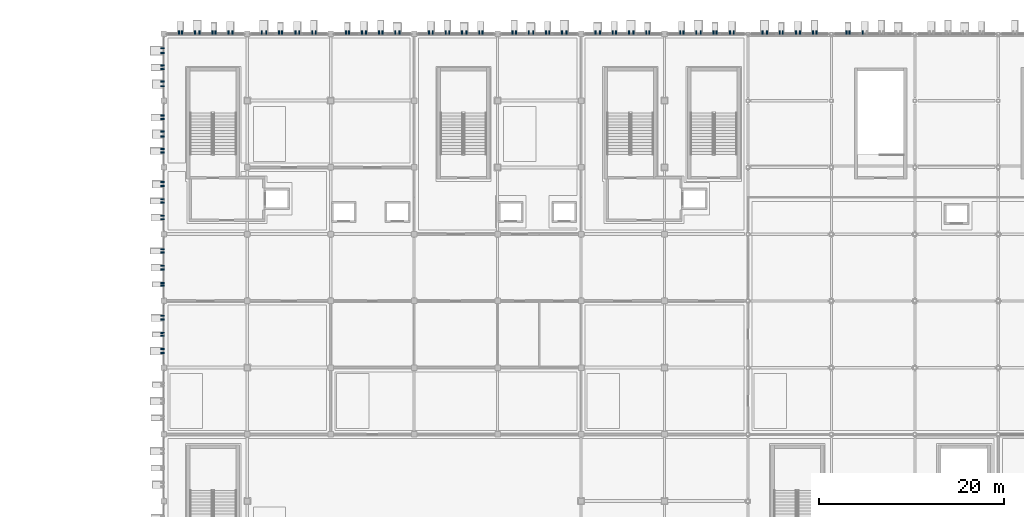
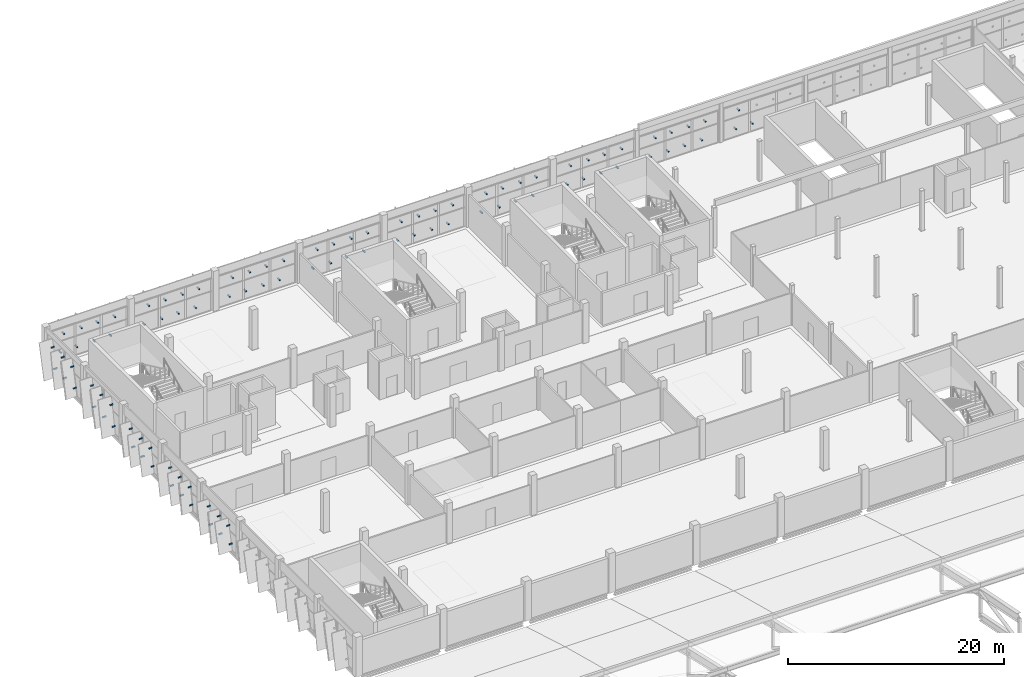
# One storey, part 111 of 124: 97 discrete accessories.
"""IFC4 building model written with IfcOpenShell, lengths in metres."""

from ifc_helpers import new_model, si_unit, direction, frame, origin, origin_2d, place, context, subcontext, project, spatial, rectangle, extrude, material, type_object, element, save


model = new_model("IFC4")

# Units and contexts
model_context = context("Model", 3, precision=1e-05, world=origin(), true_north=direction((0.0, 1.0)))
body_context = subcontext(model_context, "Body", "Model", "MODEL_VIEW")
ifc_project = project(units=[si_unit("LENGTHUNIT", "METRE"), si_unit("AREAUNIT", "SQUARE_METRE"), si_unit("VOLUMEUNIT", "CUBIC_METRE"), si_unit("PLANEANGLEUNIT", "RADIAN"), si_unit("MASSUNIT", "GRAM", prefix="KILO")], contexts=[model_context])

# Site, building, storey
site_placement = place(None, origin())
site = spatial("IfcSite", under=ifc_project, at=site_placement, CompositionType="ELEMENT")
building_placement = place(site_placement, origin())
building = spatial("IfcBuilding", under=site, at=building_placement, Name="Celestram Park Convention Centre", CompositionType="ELEMENT")
storey_placement = place(building_placement, frame((0.0, 0.0, 15.300048828125)))
storey = spatial("IfcBuildingStorey", under=building, at=storey_placement, Name="L03", CompositionType="ELEMENT", Elevation=15.300048828125)

# Discrete accessories
ifc_material = material(Name="Steel ASTM A500 Grade C", Category="steel")
discrete_accessory_type = type_object("IfcDiscreteAccessoryType", Name="ARC-BRK-OUT400", PredefinedType="BRACKET", material=ifc_material)
for number, where, z_axis, x_axis, name in (
    (1, (35.85009765625, 131.177978515625, 0.69384765625), (0.0, 0.0, 1.0), (-1.0, 0.0, 0.0), "Solar fin outrigger bracket BK-L03-1243"),
    (2, (35.85009765625, 131.6220703125, 2.50244140625), (0.0, 0.0, 1.0), (-1.0, 0.0, 0.0), "Solar fin outrigger bracket BK-L03-1244"),
    (3, (35.85009765625, 133.051025390625, 0.6787109375), (0.0, 0.0, 1.0), (-1.0, 0.0, 0.0), "Solar fin outrigger bracket BK-L03-1245"),
    (4, (35.85009765625, 133.348876953125, 2.51708984375), (0.0, 0.0, 1.0), (-1.0, 0.0, 0.0), "Solar fin outrigger bracket BK-L03-1246"),
    (5, (35.85009765625, 134.8046875, 0.6875), (0.0, 0.0, 1.0), (-1.0, 0.0, 0.0), "Solar fin outrigger bracket BK-L03-1247"),
    (6, (35.85009765625, 135.1953125, 2.5087890625), (0.0, 0.0, 1.0), (-1.0, 0.0, 0.0), "Solar fin outrigger bracket BK-L03-1248"),
    (7, (35.85009765625, 138.451171875, 0.6787109375), (0.0, 0.0, 1.0), (-1.0, 0.0, 0.0), "Solar fin outrigger bracket BK-L03-1249"),
    (8, (35.85009765625, 138.748779296875, 2.51708984375), (0.0, 0.0, 1.0), (-1.0, 0.0, 0.0), "Solar fin outrigger bracket BK-L03-1250"),
    (9, (35.85009765625, 140.204833984375, 0.6875), (0.0, 0.0, 1.0), (-1.0, 0.0, 0.0), "Solar fin outrigger bracket BK-L03-1251"),
    (10, (35.85009765625, 140.59521484375, 2.5087890625), (0.0, 0.0, 1.0), (-1.0, 0.0, 0.0), "Solar fin outrigger bracket BK-L03-1252"),
    (11, (35.85009765625, 142.031982421875, 0.68212890625), (0.0, 0.0, 1.0), (-1.0, 0.0, 0.0), "Solar fin outrigger bracket BK-L03-1253"),
    (12, (35.85009765625, 142.3681640625, 2.51416015625), (0.0, 0.0, 1.0), (-1.0, 0.0, 0.0), "Solar fin outrigger bracket BK-L03-1254"),
    (13, (35.85009765625, 145.604736328125, 0.6875), (0.0, 0.0, 1.0), (-1.0, 0.0, 0.0), "Solar fin outrigger bracket BK-L03-1255"),
    (14, (35.85009765625, 145.9951171875, 2.5087890625), (0.0, 0.0, 1.0), (-1.0, 0.0, 0.0), "Solar fin outrigger bracket BK-L03-1256"),
    (15, (35.85009765625, 147.431884765625, 0.68212890625), (0.0, 0.0, 1.0), (-1.0, 0.0, 0.0), "Solar fin outrigger bracket BK-L03-1257"),
    (16, (35.85009765625, 147.76806640625, 2.51416015625), (0.0, 0.0, 1.0), (-1.0, 0.0, 0.0), "Solar fin outrigger bracket BK-L03-1258"),
    (17, (35.85009765625, 149.18408203125, 0.69189453125), (0.0, 0.0, 1.0), (-1.0, 0.0, 0.0), "Solar fin outrigger bracket BK-L03-1259"),
    (18, (35.85009765625, 149.61572265625, 2.50390625), (0.0, 0.0, 1.0), (-1.0, 0.0, 0.0), "Solar fin outrigger bracket BK-L03-1260"),
    (19, (35.85009765625, 152.79833984375, 0.8310546875), (0.0, 0.0, 1.0), (-1.0, 0.0, 0.0), "Solar fin outrigger bracket BK-L03-1261"),
    (20, (35.85009765625, 153.20166015625, 3.02880859375), (0.0, 0.0, 1.0), (-1.0, 0.0, 0.0), "Solar fin outrigger bracket BK-L03-1262"),
    (21, (35.85009765625, 154.541015625, 0.84326171875), (0.0, 0.0, 1.0), (-1.0, 0.0, 0.0), "Solar fin outrigger bracket BK-L03-1263"),
    (22, (35.85009765625, 155.058837890625, 3.0166015625), (0.0, 0.0, 1.0), (-1.0, 0.0, 0.0), "Solar fin outrigger bracket BK-L03-1264"),
    (23, (35.85009765625, 156.409912109375, 0.8291015625), (0.0, 0.0, 1.0), (-1.0, 0.0, 0.0), "Solar fin outrigger bracket BK-L03-1265"),
    (24, (35.85009765625, 156.790283203125, 3.03076171875), (0.0, 0.0, 1.0), (-1.0, 0.0, 0.0), "Solar fin outrigger bracket BK-L03-1266"),
    (25, (35.85009765625, 159.947998046875, 0.8193359375), (0.0, 0.0, 1.0), (-1.0, 0.0, 0.0), "Solar fin outrigger bracket BK-L03-1267"),
    (26, (35.85009765625, 160.451904296875, 2.93505859375), (0.0, 0.0, 1.0), (-1.0, 0.0, 0.0), "Solar fin outrigger bracket BK-L03-1268"),
    (27, (35.85009765625, 161.81494140625, 0.80517578125), (0.0, 0.0, 1.0), (-1.0, 0.0, 0.0), "Solar fin outrigger bracket BK-L03-1269"),
    (28, (35.85009765625, 162.18505859375, 2.94873046875), (0.0, 0.0, 1.0), (-1.0, 0.0, 0.0), "Solar fin outrigger bracket BK-L03-1270"),
    (29, (35.85009765625, 163.54052734375, 0.82080078125), (0.0, 0.0, 1.0), (-1.0, 0.0, 0.0), "Solar fin outrigger bracket BK-L03-1271"),
    (30, (35.85009765625, 164.059326171875, 2.93310546875), (0.0, 0.0, 1.0), (-1.0, 0.0, 0.0), "Solar fin outrigger bracket BK-L03-1272"),
    (31, (37.627197265625, 165.75, 0.748046875), (0.0, 0.0, 1.0), (0.0, 1.0, 0.0), "Solar fin outrigger bracket BK-L03-1273"),
    (32, (37.972900390625, 165.75, 2.75), (0.0, 0.0, 1.0), (0.0, 1.0, 0.0), "Solar fin outrigger bracket BK-L03-1274"),
    (33, (39.357666015625, 165.75, 0.7626953125), (0.0, 0.0, 1.0), (0.0, 1.0, 0.0), "Solar fin outrigger bracket BK-L03-1275"),
    (34, (39.84228515625, 165.75, 2.7353515625), (0.0, 0.0, 1.0), (0.0, 1.0, 0.0), "Solar fin outrigger bracket BK-L03-1276"),
    (35, (41.237548828125, 165.75, 0.74609375), (0.0, 0.0, 1.0), (0.0, 1.0, 0.0), "Solar fin outrigger bracket BK-L03-1277"),
    (36, (41.5625, 165.75, 2.751953125), (0.0, 0.0, 1.0), (0.0, 1.0, 0.0), "Solar fin outrigger bracket BK-L03-1278"),
    (37, (42.987060546875, 165.75, 0.755859375), (0.0, 0.0, 1.0), (0.0, 1.0, 0.0), "Solar fin outrigger bracket BK-L03-1279"),
    (38, (43.412841796875, 165.75, 2.7421875), (0.0, 0.0, 1.0), (0.0, 1.0, 0.0), "Solar fin outrigger bracket BK-L03-1280"),
    (39, (46.5576171875, 165.75, 0.7626953125), (0.0, 0.0, 1.0), (0.0, 1.0, 0.0), "Solar fin outrigger bracket BK-L03-1281"),
    (40, (47.042236328125, 165.75, 2.7353515625), (0.0, 0.0, 1.0), (0.0, 1.0, 0.0), "Solar fin outrigger bracket BK-L03-1282"),
    (41, (48.4375, 165.75, 0.74609375), (0.0, 0.0, 1.0), (0.0, 1.0, 0.0), "Solar fin outrigger bracket BK-L03-1283"),
    (42, (48.762451171875, 165.75, 2.751953125), (0.0, 0.0, 1.0), (0.0, 1.0, 0.0), "Solar fin outrigger bracket BK-L03-1284"),
    (43, (50.18701171875, 165.75, 0.755859375), (0.0, 0.0, 1.0), (0.0, 1.0, 0.0), "Solar fin outrigger bracket BK-L03-1285"),
    (44, (50.61279296875, 165.75, 2.7421875), (0.0, 0.0, 1.0), (0.0, 1.0, 0.0), "Solar fin outrigger bracket BK-L03-1286"),
    (45, (52.0166015625, 165.75, 0.75), (0.0, 0.0, 1.0), (0.0, 1.0, 0.0), "Solar fin outrigger bracket BK-L03-1287"),
    (46, (52.38330078125, 165.75, 2.748046875), (0.0, 0.0, 1.0), (0.0, 1.0, 0.0), "Solar fin outrigger bracket BK-L03-1288"),
    (47, (55.6376953125, 165.75, 0.74609375), (0.0, 0.0, 1.0), (0.0, 1.0, 0.0), "Solar fin outrigger bracket BK-L03-1289"),
    (48, (55.96240234375, 165.75, 2.751953125), (0.0, 0.0, 1.0), (0.0, 1.0, 0.0), "Solar fin outrigger bracket BK-L03-1290"),
    (49, (57.38720703125, 165.75, 0.755859375), (0.0, 0.0, 1.0), (0.0, 1.0, 0.0), "Solar fin outrigger bracket BK-L03-1291"),
    (50, (57.81298828125, 165.75, 2.7421875), (0.0, 0.0, 1.0), (0.0, 1.0, 0.0), "Solar fin outrigger bracket BK-L03-1292"),
    (51, (59.216552734375, 165.75, 0.75), (0.0, 0.0, 1.0), (0.0, 1.0, 0.0), "Solar fin outrigger bracket BK-L03-1293"),
    (52, (59.58349609375, 165.75, 2.748046875), (0.0, 0.0, 1.0), (0.0, 1.0, 0.0), "Solar fin outrigger bracket BK-L03-1294"),
    (53, (60.964599609375, 165.75, 0.7607421875), (0.0, 0.0, 1.0), (0.0, 1.0, 0.0), "Solar fin outrigger bracket BK-L03-1295"),
    (54, (61.435302734375, 165.75, 2.7373046875), (0.0, 0.0, 1.0), (0.0, 1.0, 0.0), "Solar fin outrigger bracket BK-L03-1296"),
    (55, (64.587158203125, 165.75, 0.755859375), (0.0, 0.0, 1.0), (0.0, 1.0, 0.0), "Solar fin outrigger bracket BK-L03-1297"),
    (56, (65.012939453125, 165.75, 2.7421875), (0.0, 0.0, 1.0), (0.0, 1.0, 0.0), "Solar fin outrigger bracket BK-L03-1298"),
    (57, (66.41650390625, 165.75, 0.75), (0.0, 0.0, 1.0), (0.0, 1.0, 0.0), "Solar fin outrigger bracket BK-L03-1299"),
    (58, (66.783447265625, 165.75, 2.748046875), (0.0, 0.0, 1.0), (0.0, 1.0, 0.0), "Solar fin outrigger bracket BK-L03-1300"),
    (59, (68.16455078125, 165.75, 0.7607421875), (0.0, 0.0, 1.0), (0.0, 1.0, 0.0), "Solar fin outrigger bracket BK-L03-1301"),
    (60, (68.635498046875, 165.75, 2.7373046875), (0.0, 0.0, 1.0), (0.0, 1.0, 0.0), "Solar fin outrigger bracket BK-L03-1302"),
    (61, (70.027099609375, 165.75, 0.748046875), (0.0, 0.0, 1.0), (0.0, 1.0, 0.0), "Solar fin outrigger bracket BK-L03-1303"),
    (62, (70.372802734375, 165.75, 2.75), (0.0, 0.0, 1.0), (0.0, 1.0, 0.0), "Solar fin outrigger bracket BK-L03-1304"),
    (63, (73.61669921875, 165.75, 0.75), (0.0, 0.0, 1.0), (0.0, 1.0, 0.0), "Solar fin outrigger bracket BK-L03-1305"),
    (64, (73.9833984375, 165.75, 2.748046875), (0.0, 0.0, 1.0), (0.0, 1.0, 0.0), "Solar fin outrigger bracket BK-L03-1306"),
    (65, (75.364501953125, 165.75, 0.7607421875), (0.0, 0.0, 1.0), (0.0, 1.0, 0.0), "Solar fin outrigger bracket BK-L03-1307"),
    (66, (75.83544921875, 165.75, 2.7373046875), (0.0, 0.0, 1.0), (0.0, 1.0, 0.0), "Solar fin outrigger bracket BK-L03-1308"),
    (67, (77.22705078125, 165.75, 0.748046875), (0.0, 0.0, 1.0), (0.0, 1.0, 0.0), "Solar fin outrigger bracket BK-L03-1309"),
    (68, (77.572998046875, 165.75, 2.75), (0.0, 0.0, 1.0), (0.0, 1.0, 0.0), "Solar fin outrigger bracket BK-L03-1310"),
    (69, (78.957763671875, 165.75, 0.7626953125), (0.0, 0.0, 1.0), (0.0, 1.0, 0.0), "Solar fin outrigger bracket BK-L03-1311"),
    (70, (79.4423828125, 165.75, 2.7353515625), (0.0, 0.0, 1.0), (0.0, 1.0, 0.0), "Solar fin outrigger bracket BK-L03-1312"),
    (71, (82.564697265625, 165.75, 0.7607421875), (0.0, 0.0, 1.0), (0.0, 1.0, 0.0), "Solar fin outrigger bracket BK-L03-1313"),
    (72, (83.035400390625, 165.75, 2.7373046875), (0.0, 0.0, 1.0), (0.0, 1.0, 0.0), "Solar fin outrigger bracket BK-L03-1314"),
    (73, (84.427001953125, 165.75, 0.748046875), (0.0, 0.0, 1.0), (0.0, 1.0, 0.0), "Solar fin outrigger bracket BK-L03-1315"),
    (74, (84.77294921875, 165.75, 2.75), (0.0, 0.0, 1.0), (0.0, 1.0, 0.0), "Solar fin outrigger bracket BK-L03-1316"),
    (75, (86.15771484375, 165.75, 0.7626953125), (0.0, 0.0, 1.0), (0.0, 1.0, 0.0), "Solar fin outrigger bracket BK-L03-1317"),
    (76, (86.642333984375, 165.75, 2.7353515625), (0.0, 0.0, 1.0), (0.0, 1.0, 0.0), "Solar fin outrigger bracket BK-L03-1318"),
    (77, (88.03759765625, 165.75, 0.74609375), (0.0, 0.0, 1.0), (0.0, 1.0, 0.0), "Solar fin outrigger bracket BK-L03-1319"),
    (78, (88.3623046875, 165.75, 2.751953125), (0.0, 0.0, 1.0), (0.0, 1.0, 0.0), "Solar fin outrigger bracket BK-L03-1320"),
    (79, (91.689697265625, 165.75, 0.748046875), (0.0, 0.0, 1.0), (0.0, 1.0, 0.0), "Solar fin outrigger bracket BK-L03-1321"),
    (80, (92.035400390625, 165.75, 2.75), (0.0, 0.0, 1.0), (0.0, 1.0, 0.0), "Solar fin outrigger bracket BK-L03-1322"),
    (81, (93.420166015625, 165.75, 0.7626953125), (0.0, 0.0, 1.0), (0.0, 1.0, 0.0), "Solar fin outrigger bracket BK-L03-1323"),
    (82, (93.90478515625, 165.75, 2.7353515625), (0.0, 0.0, 1.0), (0.0, 1.0, 0.0), "Solar fin outrigger bracket BK-L03-1324"),
    (83, (95.300048828125, 165.75, 0.74609375), (0.0, 0.0, 1.0), (0.0, 1.0, 0.0), "Solar fin outrigger bracket BK-L03-1325"),
    (84, (95.625, 165.75, 2.751953125), (0.0, 0.0, 1.0), (0.0, 1.0, 0.0), "Solar fin outrigger bracket BK-L03-1326"),
    (85, (97.049560546875, 165.75, 0.755859375), (0.0, 0.0, 1.0), (0.0, 1.0, 0.0), "Solar fin outrigger bracket BK-L03-1327"),
    (86, (97.475341796875, 165.75, 2.7421875), (0.0, 0.0, 1.0), (0.0, 1.0, 0.0), "Solar fin outrigger bracket BK-L03-1328"),
    (87, (100.5576171875, 165.75, 0.7626953125), (0.0, 0.0, 1.0), (0.0, 1.0, 0.0), "Solar fin outrigger bracket BK-L03-1329"),
    (88, (101.042236328125, 165.75, 2.7353515625), (0.0, 0.0, 1.0), (0.0, 1.0, 0.0), "Solar fin outrigger bracket BK-L03-1330"),
    (89, (102.4375, 165.75, 0.74609375), (0.0, 0.0, 1.0), (0.0, 1.0, 0.0), "Solar fin outrigger bracket BK-L03-1331"),
    (90, (102.762451171875, 165.75, 2.751953125), (0.0, 0.0, 1.0), (0.0, 1.0, 0.0), "Solar fin outrigger bracket BK-L03-1332"),
    (91, (104.18701171875, 165.75, 0.755859375), (0.0, 0.0, 1.0), (0.0, 1.0, 0.0), "Solar fin outrigger bracket BK-L03-1333"),
    (92, (104.61279296875, 165.75, 2.7421875), (0.0, 0.0, 1.0), (0.0, 1.0, 0.0), "Solar fin outrigger bracket BK-L03-1334"),
    (93, (106.0166015625, 165.75, 0.75), (0.0, 0.0, 1.0), (0.0, 1.0, 0.0), "Solar fin outrigger bracket BK-L03-1335"),
    (94, (106.38330078125, 165.75, 2.748046875), (0.0, 0.0, 1.0), (0.0, 1.0, 0.0), "Solar fin outrigger bracket BK-L03-1336"),
    (95, (109.63720703125, 165.75, 0.74853515625), (0.0, 0.0, 1.0), (0.0, 1.0, 0.0), "Solar fin outrigger bracket BK-L03-1337"),
    (96, (109.962890625, 165.75, 2.75927734375), (0.0, 0.0, 1.0), (0.0, 1.0, 0.0), "Solar fin outrigger bracket BK-L03-1338"),
    (97, (111.386474609375, 165.75, 0.7578125), (0.0, 0.0, 1.0), (0.0, 1.0, 0.0), "Solar fin outrigger bracket BK-L03-1339"),
):
    element("IfcDiscreteAccessory", number, at=place(storey_placement, frame(where, z_axis=z_axis, x_axis=x_axis)), inside=storey, type_object=discrete_accessory_type, Name=name, PredefinedType="BRACKET", context=body_context, shape_type="SweptSolid", body=[
        extrude(rectangle(XDim=0.39990234375, YDim=0.139892578125, at=origin_2d()), origin(), (0.0, 0.0, 1.0), 0.139892578125),
    ])

save(model, "model.ifc")
